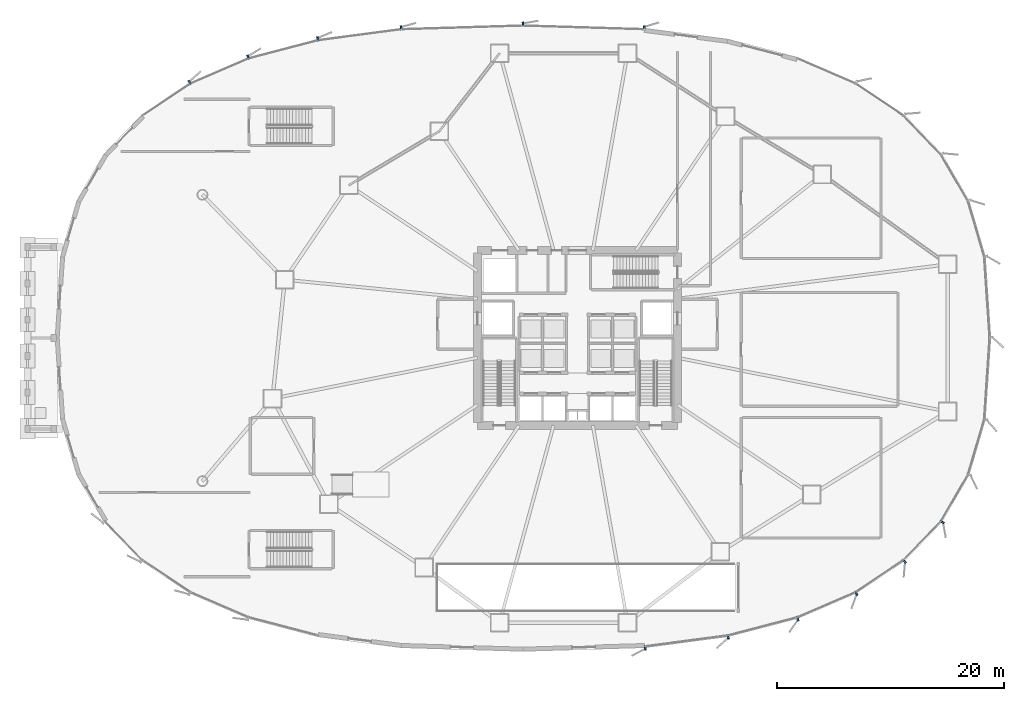
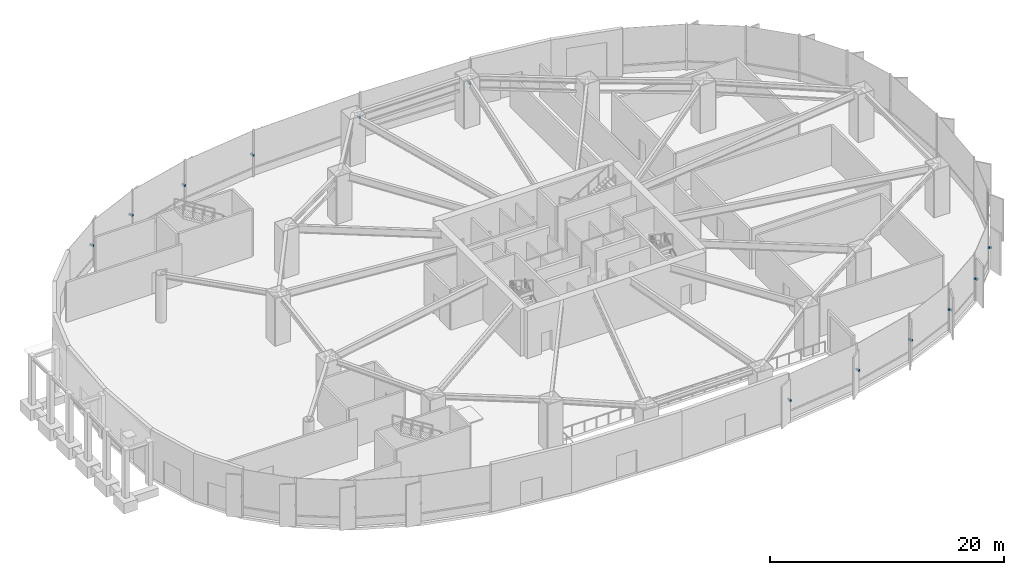
# One storey, part 27 of 35: 12 discrete accessories.
"""IFC4 building model written with IfcOpenShell, lengths in metres."""

from ifc_helpers import new_model, si_unit, direction, frame, origin, origin_2d, place, context, subcontext, project, spatial, rectangle, extrude, source, transform, mapped, material, type_object, element, save


model = new_model("IFC4")

# Units and contexts
model_context = context("Model", 3, precision=1e-05, world=origin(), true_north=direction((0.0, 1.0)))
body_context = subcontext(model_context, "Body", "Model", "MODEL_VIEW")
ifc_project = project(units=[si_unit("LENGTHUNIT", "METRE"), si_unit("AREAUNIT", "SQUARE_METRE"), si_unit("VOLUMEUNIT", "CUBIC_METRE"), si_unit("PLANEANGLEUNIT", "RADIAN"), si_unit("MASSUNIT", "GRAM", prefix="KILO"), si_unit("THERMODYNAMICTEMPERATUREUNIT", "KELVIN")], contexts=[model_context])

# Site, building, storey
site_placement = place(None, origin())
site = spatial("IfcSite", under=ifc_project, at=site_placement, CompositionType="ELEMENT")
building_placement = place(site_placement, origin())
building = spatial("IfcBuilding", under=site, at=building_placement, Name="Kethvar Cultural Tower", CompositionType="ELEMENT")
storey_placement = place(building_placement, origin())
storey = spatial("IfcBuildingStorey", under=building, at=storey_placement, Name="L00", CompositionType="ELEMENT", Elevation=0.0)

# Discrete accessories
ifc_material = material(Name="Steel S355J2", Category="steel")
discrete_accessory_type = type_object("IfcDiscreteAccessoryType", Name="Steel Fin Bracket BRK-01", PredefinedType="BRACKET", material=ifc_material)
shared_shape = source(origin(), body_context, "Body", "SweptSolid", [
    extrude(rectangle(XDim=0.3798828125, YDim=0.159912109375, at=origin_2d()), origin(), (0.0, 0.0, 1.0), 0.179931640625),
])
for number, where, z_axis, x_axis, name in (
    (1, (52.66748046875, 55.08837890625, 2.1298828125), (0.0, 0.0, 1.0), (0.030189608314, 0.999544189894, 0.0), "L00 Terracotta Fin Bracket 2.1"),
    (2, (41.999755859375, 55.409912109375, 2.1298828125), (0.0, 0.0, 1.0), (-0.030189608314, 0.999544189894, 0.0), "L00 Terracotta Fin Bracket 2.2"),
    (3, (31.28271484375, 55.0869140625, 2.1298828125), (0.0, 0.0, 1.0), (-0.130699230003, 0.991422065155, 0.0), "L00 Terracotta Fin Bracket 2.3"),
    (4, (23.947509765625, 54.1201171875, 2.1298828125), (0.0, 0.0, 1.0), (-0.253082602519, 0.96744467351, 0.0), "L00 Terracotta Fin Bracket 2.4"),
    (5, (17.82275390625, 52.518310546875, 2.1298828125), (0.0, 0.0, 1.0), (-0.396346847517, 0.9181008531, 0.0), "L00 Terracotta Fin Bracket 2.5"),
    (6, (12.668212890625, 50.292236328125, 2.1298828125), (0.0, 0.0, 1.0), (-0.556585649903, 0.83079023485, 0.0), "L00 Terracotta Fin Bracket 2.6"),
    (7, (52.765380859375, 0.51953125, 2.1298828125), (0.0, 0.0, 1.0), (0.130699230003, -0.991422065155, 0.0), "L00 Terracotta Fin Bracket 4.1"),
    (8, (60.052490234375, 1.47998046875, 2.1298828125), (0.0, 0.0, 1.0), (0.253082602519, -0.96744467351, 0.0), "L00 Terracotta Fin Bracket 4.2"),
    (9, (66.17724609375, 3.081787109375, 2.1298828125), (0.0, 0.0, 1.0), (0.396346847517, -0.9181008531, 0.0), "L00 Terracotta Fin Bracket 4.3"),
    (10, (71.331787109375, 5.3076171875, 2.1298828125), (0.0, 0.0, 1.0), (0.556585649903, -0.83079023485, 0.0), "L00 Terracotta Fin Bracket 4.4"),
    (11, (75.5703125, 8.147216796875, 2.1298828125), (0.0, 0.0, 1.0), (0.72055111168, -0.693401828276, 0.0), "L00 Terracotta Fin Bracket 4.5"),
    (12, (78.893310546875, 11.601318359375, 2.1298828125), (0.0, 0.0, 1.0), (0.864011302865, -0.503472410885, 0.0), "L00 Terracotta Fin Bracket 4.6"),
):
    element("IfcDiscreteAccessory", number, at=place(storey_placement, frame(where, z_axis=z_axis, x_axis=x_axis)), inside=storey, type_object=discrete_accessory_type, Name=name, PredefinedType="BRACKET", context=body_context, shape_type="MappedRepresentation", body=[
        mapped(shared_shape, transform((0.0, 0.0, 0.0), scale=1.0)),
    ])

save(model, "model.ifc")
